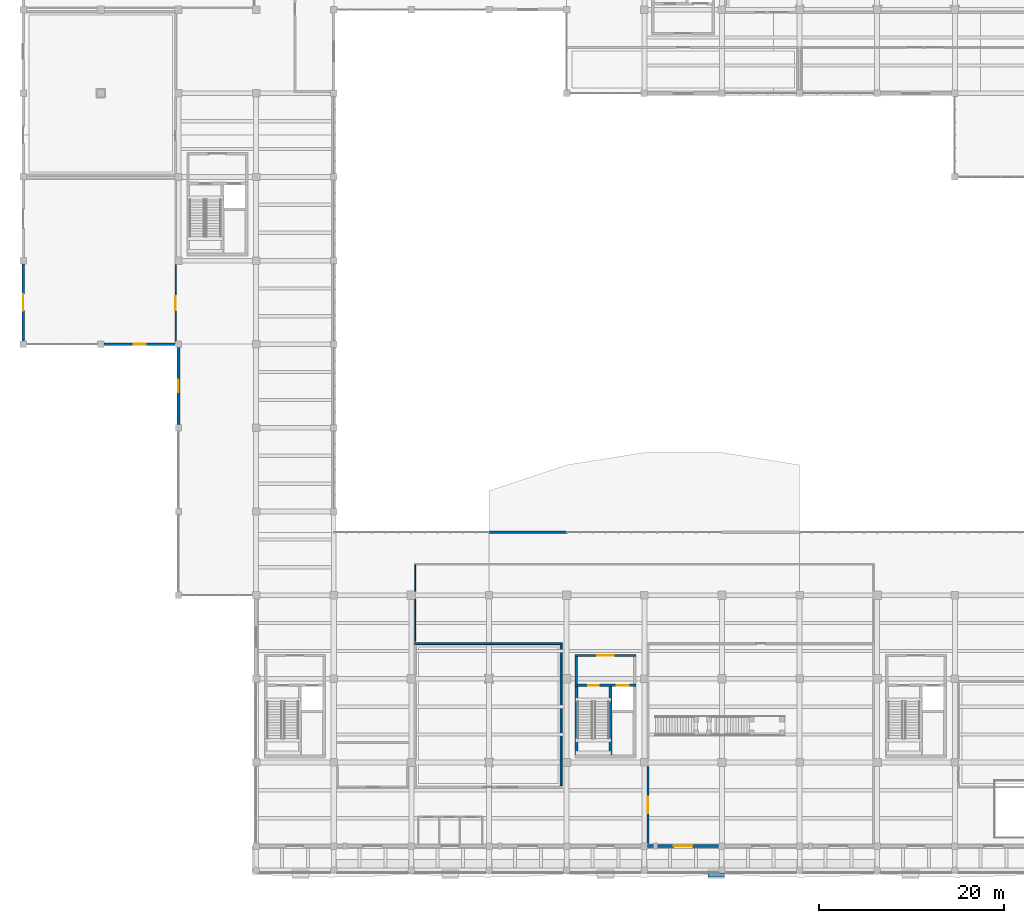
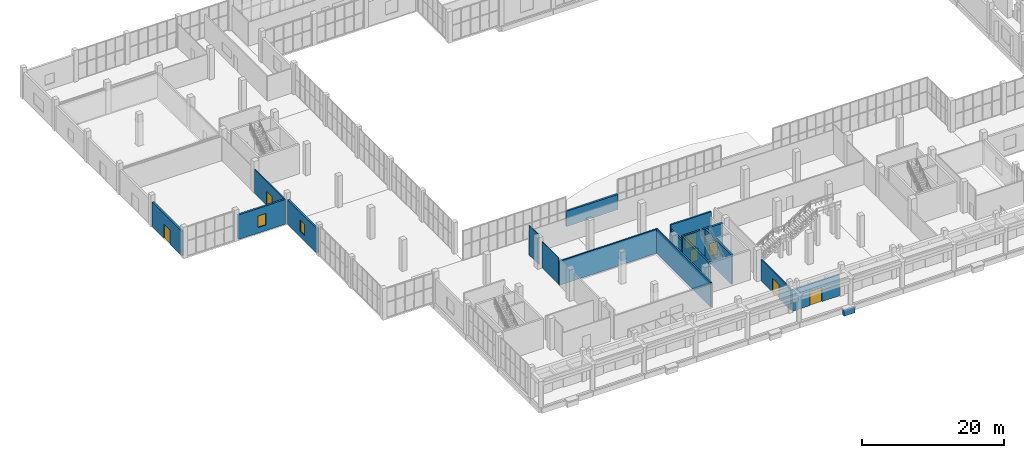
# One storey, part 77 of 91: 17 walls, 7 doors, 2 windows, 9 openings.
"""IFC4 building model written with IfcOpenShell, lengths in metres."""

import ifcopenshell
import ifcopenshell.guid

model = None  # the IFC model being written
_history = None  # IfcOwnerHistory: only IFC2X3 demands one
_inside = {}  # id of a spatial element -> (the spatial element, [elements in it])
_under = {}  # id of a project, library or spatial element -> (it, [spatial elements below it])
_declared = {}  # id of a project -> (the project, [libraries it declares])
_typed = {}  # id of a type object -> (the type object, [elements of that type])
_made_of = {}  # id of a material, layer set ... -> (it, [elements and type objects made of it])


def new_model(schema):
    """Start an empty IFC model of exactly this schema.

    Asked for "IFC4X3", IfcOpenShell would pick the latest addendum, in which some entities
    have other attributes; the version numbers below select the first issue.
    IFC2X3 requires an IfcOwnerHistory on every rooted entity: one is made here for all.
    """
    global model, _history
    if schema == "IFC4X3":
        model = ifcopenshell.file(schema_version=(4, 3, 0, 0))
    else:
        model = ifcopenshell.file(schema=schema)
    _inside.clear()
    _under.clear()
    _declared.clear()
    _typed.clear()
    _made_of.clear()
    _history = None
    if model.schema == "IFC2X3":
        org = make("IfcOrganization", Name="unknown")
        user = make(
            "IfcPersonAndOrganization",
            ThePerson=make("IfcPerson", FamilyName="unknown"),
            TheOrganization=org,
        )
        app = make(
            "IfcApplication",
            ApplicationDeveloper=org,
            Version="unknown",
            ApplicationFullName="unknown",
            ApplicationIdentifier="unknown",
        )
        _history = make(
            "IfcOwnerHistory",
            OwningUser=user,
            OwningApplication=app,
            ChangeAction="ADDED",
            CreationDate=0,
        )
    return model


def make(cls, **values):
    """One entity of the class cls with the attributes given. An attribute that is None is left unset."""
    return model.create_entity(
        cls, **{name: value for name, value in values.items() if value is not None}
    )


def rooted(cls, **values):
    """An entity with a GlobalId (a new one), such as an element, a storey or a relation."""
    return make(cls, GlobalId=ifcopenshell.guid.new(), OwnerHistory=_history, **values)


def si_unit(unit_type, name, prefix=None):
    """IfcSIUnit, for example si_unit("LENGTHUNIT", "METRE", prefix="MILLI")."""
    return make("IfcSIUnit", UnitType=unit_type, Prefix=prefix, Name=name)


def assignment(units):
    """IfcUnitAssignment: the units of a project."""
    return None if units is None else make("IfcUnitAssignment", Units=units)


def point(xyz):
    """IfcCartesianPoint."""
    return None if xyz is None else make("IfcCartesianPoint", Coordinates=xyz)


def direction(xyz):
    """IfcDirection."""
    return None if xyz is None else make("IfcDirection", DirectionRatios=xyz)


def frame(location, z_axis=None, x_axis=None):
    """IfcAxis2Placement3D, a coordinate frame: its origin and axes. An axis left out is left unset."""
    return make(
        "IfcAxis2Placement3D",
        Location=point(location),
        Axis=direction(z_axis),
        RefDirection=direction(x_axis),
    )


def frame_2d(location, x_axis=None):
    """IfcAxis2Placement2D, a coordinate frame in the plane: its origin and x axis."""
    return make(
        "IfcAxis2Placement2D", Location=point(location), RefDirection=direction(x_axis)
    )


def origin():
    """The frame at (0, 0, 0) with its axes left unset."""
    return frame((0.0, 0.0, 0.0))


def place(relative_to, where):
    """IfcLocalPlacement: puts the frame where relative to a parent placement (None: the world)."""
    return make(
        "IfcLocalPlacement", PlacementRelTo=relative_to, RelativePlacement=where
    )


def context(
    kind, dimensions, precision=None, world=None, true_north=None, identifier=None
):
    """IfcGeometricRepresentationContext, for example the 3D "Model" context."""
    return make(
        "IfcGeometricRepresentationContext",
        ContextIdentifier=identifier,
        ContextType=kind,
        CoordinateSpaceDimension=dimensions,
        Precision=precision,
        WorldCoordinateSystem=world,
        TrueNorth=true_north,
    )


def subcontext(parent, identifier, kind, view, scale=None):
    """IfcGeometricRepresentationSubContext, for example "Body" below "Model"."""
    return make(
        "IfcGeometricRepresentationSubContext",
        ContextIdentifier=identifier,
        ContextType=kind,
        ParentContext=parent,
        TargetScale=scale,
        TargetView=view,
    )


def project(units=None, contexts=None):
    """IfcProject with its units and contexts."""
    return rooted(
        "IfcProject",
        Name="project",
        RepresentationContexts=contexts,
        UnitsInContext=assignment(units),
    )


def spatial(cls, under=None, at=None, **own):
    """A site, building, storey or space (cls), placed at a placement, below another one or the project."""
    s = rooted(cls, ObjectPlacement=at, **own)
    if under is not None:
        _under.setdefault(under.id(), (under, []))[1].append(s)
    return s


def profile(cls, at=None, kind="AREA", **sizes):
    """A parametric profile (cls). Its sizes go by their IFC names, for example OverallWidth=200.0."""
    return make(cls, ProfileType=kind, Position=at, **sizes)


def rectangle(**sizes):
    """IfcRectangleProfileDef."""
    return profile("IfcRectangleProfileDef", **sizes)


def extrude(swept, where, along, depth):
    """IfcExtrudedAreaSolid: the profile swept, set in the frame where, extruded along a direction by depth."""
    return make(
        "IfcExtrudedAreaSolid",
        SweptArea=swept,
        Position=where,
        ExtrudedDirection=direction(along),
        Depth=depth,
    )


def shape(context_of_items, identifier, shape_type, items):
    """IfcShapeRepresentation: the items that make up one representation, for example the "Body"."""
    return make(
        "IfcShapeRepresentation",
        ContextOfItems=context_of_items,
        RepresentationIdentifier=identifier,
        RepresentationType=shape_type,
        Items=items,
    )


def material(Name=None, Category=None):
    """IfcMaterial."""
    return make("IfcMaterial", Name=Name, Category=Category)


def layer(
    of_material, thickness, ventilated=None, Name=None, Category=None, Priority=None
):
    """IfcMaterialLayer: one layer of a wall or slab, of a material (None: an air gap)."""
    return make(
        "IfcMaterialLayer",
        Material=of_material,
        LayerThickness=thickness,
        IsVentilated=ventilated,
        Name=Name,
        Category=Category,
        Priority=Priority,
    )


def layer_set(layers, Name=None):
    """IfcMaterialLayerSet."""
    return make("IfcMaterialLayerSet", MaterialLayers=layers, LayerSetName=Name)


def made_of(thing, what):
    """Note that an element or type object is made of a material, layer set ...; save() writes the relation."""
    if what is not None:
        _made_of.setdefault(what.id(), (what, []))[1].append(thing)
    return thing


def type_object(cls, material=None, **own):
    """A type object (cls), such as IfcWallType, which elements share."""
    return made_of(rooted(cls, **own), material)


def element(
    cls,
    number,
    at=None,
    inside=None,
    cuts=None,
    type_object=None,
    material=None,
    context=None,
    identifier="Body",
    shape_type=None,
    held_by="IfcProductDefinitionShape",
    body=None,
    shapes=None,
    **own,
):
    """One element of the class cls, such as IfcWall. Its Tag is "e" and its number.

    at: its placement. inside: the storey or other place that contains it. cuts: it is an
    opening in that element (IfcRelVoidsElement). A single representation is given by context,
    identifier, shape_type and body (its items); several are given by shapes. held_by: the class
    of the entity that holds the representations. save() writes the other relations.
    """
    e = rooted(cls, Tag="e%d" % number, ObjectPlacement=at, **own)
    if body is not None:
        shapes = [shape(context, identifier, shape_type, body)]
    if shapes is not None:
        e.Representation = make(held_by, Representations=shapes)
    if inside is not None:
        _inside.setdefault(inside.id(), (inside, []))[1].append(e)
    if cuts is not None:
        rooted(
            "IfcRelVoidsElement", RelatingBuildingElement=cuts, RelatedOpeningElement=e
        )
    if type_object is not None:
        _typed.setdefault(type_object.id(), (type_object, []))[1].append(e)
    return made_of(e, material)


def fill(opening, filler):
    """IfcRelFillsElement: the door or window that sits in an opening."""
    return rooted(
        "IfcRelFillsElement",
        RelatingOpeningElement=opening,
        RelatedBuildingElement=filler,
    )


def aggregate(whole, parts):
    """IfcRelAggregates: a whole, such as a stair, and the parts it consists of."""
    return rooted("IfcRelAggregates", RelatingObject=whole, RelatedObjects=parts)


def save(model, path):
    """Write the relations noted so far, then the file.

    IfcRelAggregates (storeys below a building ...), IfcRelContainedInSpatialStructure (elements
    in a storey), IfcRelDefinesByType, IfcRelAssociatesMaterial and IfcRelDeclares: one each for
    every whole, place, type object, material and project.
    """
    for whole, parts in _under.values():
        aggregate(whole, parts)
    for where, things in _inside.values():
        rooted(
            "IfcRelContainedInSpatialStructure",
            RelatedElements=things,
            RelatingStructure=where,
        )
    for kind, things in _typed.values():
        rooted("IfcRelDefinesByType", RelatedObjects=things, RelatingType=kind)
    for what, things in _made_of.values():
        rooted("IfcRelAssociatesMaterial", RelatedObjects=things, RelatingMaterial=what)
    for by, libraries in _declared.values():
        rooted("IfcRelDeclares", RelatingContext=by, RelatedDefinitions=libraries)
    model.write(path)


model = new_model("IFC4")

# Units and contexts
model_context = context("Model", 3, precision=1e-05, world=origin(), true_north=direction((0.0, 1.0)))
body_context = subcontext(model_context, "Body", "Model", "MODEL_VIEW")
ifc_project = project(units=[si_unit("LENGTHUNIT", "METRE"), si_unit("AREAUNIT", "SQUARE_METRE"), si_unit("VOLUMEUNIT", "CUBIC_METRE"), si_unit("PLANEANGLEUNIT", "RADIAN"), si_unit("MASSUNIT", "GRAM", prefix="KILO")], contexts=[model_context])

# Site, building, storey
site_placement = place(None, origin())
site = spatial("IfcSite", under=ifc_project, at=site_placement, CompositionType="ELEMENT")
building_placement = place(site_placement, origin())
building = spatial("IfcBuilding", under=site, at=building_placement, Name="Khurvash Pelagic Aquarium", CompositionType="ELEMENT")
storey_placement = place(building_placement, origin())
storey = spatial("IfcBuildingStorey", under=building, at=storey_placement, Name="L00", CompositionType="ELEMENT", Elevation=0.0)

# Wall, opening, door
ifc_material_1 = material(Name="Precast concrete C40/50", Category="concrete")
ifc_layer_1 = layer(ifc_material_1, 0.300048828125)
ifc_layer_set_1 = layer_set([ifc_layer_1], Name="Precast concrete C40/50")
wall_type_1 = type_object("IfcWallType", Name="EW-300", PredefinedType="STANDARD", material=ifc_layer_set_1)
wall_1_placement = place(storey_placement, frame((67.554931640625, 2.60009765625, 0.0), z_axis=(0.0, 0.0, 1.0), x_axis=(1.0, 0.0, 0.0)))
wall_1 = element("IfcWall", 1, at=wall_1_placement, inside=storey, type_object=wall_type_1, Name="L00 Exterior Architectural Facade Wall EW-300 0009", PredefinedType="STANDARD", context=body_context, shape_type="SweptSolid", body=[
    extrude(rectangle(XDim=7.690185546875, YDim=0.300048828125, at=frame_2d((3.84521484375, 0.0))), origin(), (0.0, 0.0, 1.0), 3.64990234375),
])
opening_1_placement = place(wall_1_placement, frame((2.844970703125, 0.0, 0.0)))
opening_1 = element("IfcOpeningElement", 2, at=opening_1_placement, cuts=wall_1, Name="Opening ED-02", PredefinedType="OPENING", context=body_context, shape_type="SweptSolid", body=[
    extrude(rectangle(XDim=2.0, YDim=2.39990234375, at=frame_2d((1.0, 1.199951171875))), frame((0.0, 0.16015625, 0.0), z_axis=(0.0, -1.0, 0.0), x_axis=(1.0, 0.0, 0.0)), (0.0, 0.0, 1.0), 0.320068359375),
])
ifc_material_2 = material(Name="Thermally broken glazed aluminium", Category="aluminium")
door_type_1 = type_object("IfcDoorType", Name="ED-02", OperationType="DOUBLE_DOOR_SINGLE_SWING", PredefinedType="DOOR", material=ifc_material_2)
door_1_placement = place(opening_1_placement, frame((2.0, 0.0, 0.0), z_axis=(0.0, 0.0, 1.0), x_axis=(-1.0, 0.0, 0.0)))
door_1 = element("IfcDoor", 3, at=door_1_placement, inside=storey, type_object=door_type_1, Name="DR-0049", OperationType="DOUBLE_DOOR_SINGLE_SWING", OverallHeight=2.39990234375, OverallWidth=2.0, PredefinedType="DOOR", context=body_context, shape_type="SweptSolid", body=[
    extrude(rectangle(XDim=2.0, YDim=2.39990234375, at=frame_2d((1.0, 1.199951171875))), frame((0.0, 0.02490234375, 0.0), z_axis=(0.0, -1.0, 0.0), x_axis=(1.0, 0.0, 0.0)), (0.0, 0.0, 1.0), 0.050048828125),
])
fill(opening_1, door_1)

wall_2_placement = place(storey_placement, frame((0.0, 65.594970703125, 0.0), z_axis=(0.0, 0.0, 1.0), x_axis=(0.0, -1.0, 0.0)))
wall_2 = element("IfcWall", 4, at=wall_2_placement, inside=storey, type_object=wall_type_1, Name="L00 Exterior Architectural Facade Wall EW-300 0029", PredefinedType="STANDARD", context=body_context, shape_type="SweptSolid", body=[
    extrude(rectangle(XDim=8.340087890625, YDim=0.300048828125, at=frame_2d((4.169921875, 0.0))), origin(), (0.0, 0.0, 1.0), 4.239990234375),
])
opening_2_placement = place(wall_2_placement, frame((3.27001953125, 0.0, 0.0)))
opening_2 = element("IfcOpeningElement", 5, at=opening_2_placement, cuts=wall_2, Name="Opening ED-01", PredefinedType="OPENING", context=body_context, shape_type="SweptSolid", body=[
    extrude(rectangle(XDim=1.800048828125, YDim=2.39990234375, at=frame_2d((0.89990234375, 1.199951171875))), frame((0.0, 0.16015625, 0.0), z_axis=(0.0, -1.0, 0.0), x_axis=(1.0, 0.0, 0.0)), (0.0, 0.0, 1.0), 0.320068359375),
])
door_type_2 = type_object("IfcDoorType", Name="ED-01", OperationType="DOUBLE_DOOR_SINGLE_SWING", PredefinedType="DOOR", material=ifc_material_2)
door_2_placement = place(opening_2_placement, frame((1.800048828125, 0.0, 0.0), z_axis=(0.0, 0.0, 1.0), x_axis=(-1.0, 0.0, 0.0)))
door_2 = element("IfcDoor", 6, at=door_2_placement, inside=storey, type_object=door_type_2, Name="DR-0059", OperationType="DOUBLE_DOOR_SINGLE_SWING", OverallHeight=2.39990234375, OverallWidth=1.800048828125, PredefinedType="DOOR", context=body_context, shape_type="SweptSolid", body=[
    extrude(rectangle(XDim=1.800048828125, YDim=2.39990234375, at=frame_2d((0.89990234375, 1.199951171875))), frame((0.0, 0.02490234375, 0.0), z_axis=(0.0, -1.0, 0.0), x_axis=(1.0, 0.0, 0.0)), (0.0, 0.0, 1.0), 0.050048828125),
])
fill(opening_2, door_2)

# Wall, opening, window
wall_3_placement = place(storey_placement, frame((8.7548828125, 56.89990234375, 0.0), z_axis=(0.0, 0.0, 1.0), x_axis=(1.0, 0.0, 0.0)))
wall_3 = element("IfcWall", 7, at=wall_3_placement, inside=storey, type_object=wall_type_1, Name="L00 Exterior Architectural Facade Wall EW-300 0030", PredefinedType="STANDARD", context=body_context, shape_type="SweptSolid", body=[
    extrude(rectangle(XDim=7.690185546875, YDim=0.300048828125, at=frame_2d((3.84521484375, 0.0))), origin(), (0.0, 0.0, 1.0), 4.22998046875),
])
opening_3_placement = place(wall_3_placement, frame((3.18505859375, 0.0, 0.949951171875)))
opening_3 = element("IfcOpeningElement", 8, at=opening_3_placement, cuts=wall_3, Name="Opening WN-32", PredefinedType="OPENING", context=body_context, shape_type="SweptSolid", body=[
    extrude(rectangle(XDim=1.320068359375, YDim=2.0, at=frame_2d((0.66015625, 1.0))), frame((0.0, 0.16015625, 0.0), z_axis=(0.0, -1.0, 0.0), x_axis=(1.0, 0.0, 0.0)), (0.0, 0.0, 1.0), 0.320068359375),
])
ifc_material_3 = material(Name="Thermally broken aluminium and low-E glass", Category="aluminium")
window_type = type_object("IfcWindowType", Name="WN-32", PartitioningType="SINGLE_PANEL", PredefinedType="WINDOW", material=ifc_material_3)
window_1_placement = place(opening_3_placement, origin())
window_1 = element("IfcWindow", 9, at=window_1_placement, inside=storey, type_object=window_type, Name="L00 Facade Window WN-32 0012", OverallHeight=2.0, OverallWidth=1.320068359375, PartitioningType="SINGLE_PANEL", PredefinedType="WINDOW", context=body_context, shape_type="SweptSolid", body=[
    extrude(rectangle(XDim=1.320068359375, YDim=2.0, at=frame_2d((0.66015625, 1.0))), frame((0.0, 0.030029296875, 0.0), z_axis=(0.0, -1.0, 0.0), x_axis=(1.0, 0.0, 0.0)), (0.0, 0.0, 1.0), 0.06005859375),
])
fill(opening_3, window_1)

wall_4_placement = place(storey_placement, frame((16.800048828125, 56.544921875, 0.0), z_axis=(0.0, 0.0, 1.0), x_axis=(0.0, -1.0, 0.0)))
wall_4 = element("IfcWall", 10, at=wall_4_placement, inside=storey, type_object=wall_type_1, Name="L00 Exterior Architectural Facade Wall EW-300 0031", PredefinedType="STANDARD", context=body_context, shape_type="SweptSolid", body=[
    extrude(rectangle(XDim=8.33984375, YDim=0.300048828125, at=frame_2d((4.169921875, 0.0))), origin(), (0.0, 0.0, 1.0), 4.239990234375),
])
opening_4_placement = place(wall_4_placement, frame((3.510009765625, 0.0, 0.949951171875)))
opening_4 = element("IfcOpeningElement", 11, at=opening_4_placement, cuts=wall_4, Name="Opening WN-32", PredefinedType="OPENING", context=body_context, shape_type="SweptSolid", body=[
    extrude(rectangle(XDim=1.320068359375, YDim=2.0, at=frame_2d((0.66015625, 1.0))), frame((0.0, 0.16015625, 0.0), z_axis=(0.0, -1.0, 0.0), x_axis=(1.0, 0.0, 0.0)), (0.0, 0.0, 1.0), 0.320068359375),
])
window_2_placement = place(opening_4_placement, origin())
window_2 = element("IfcWindow", 12, at=window_2_placement, inside=storey, type_object=window_type, Name="L00 Facade Window WN-32 0013", OverallHeight=2.0, OverallWidth=1.320068359375, PartitioningType="SINGLE_PANEL", PredefinedType="WINDOW", context=body_context, shape_type="SweptSolid", body=[
    extrude(rectangle(XDim=1.320068359375, YDim=2.0, at=frame_2d((0.66015625, 1.0))), frame((0.0, 0.030029296875, 0.0), z_axis=(0.0, -1.0, 0.0), x_axis=(1.0, 0.0, 0.0)), (0.0, 0.0, 1.0), 0.06005859375),
])
fill(opening_4, window_2)

# Walls
wall_5_placement = place(storey_placement, frame((58.800048828125, 36.550048828125, 0.0), z_axis=(0.0, 0.0, 1.0), x_axis=(-1.0, 0.0, 0.0)))
element("IfcWall", 13, at=wall_5_placement, inside=storey, type_object=wall_type_1, Name="L00 Exterior Architectural Facade Wall EW-300 0037", PredefinedType="STANDARD", context=body_context, shape_type="SweptSolid", body=[
    extrude(rectangle(XDim=8.400146484375, YDim=0.300048828125, at=frame_2d((4.2001953125, 0.0))), origin(), (0.0, 0.0, 1.0), 2.616943359375),
])
ifc_material_4 = material(Name="Ceramic-tiled wet-room partition", Category="masonry")
ifc_layer_2 = layer(ifc_material_4, 0.110107421875)
ifc_layer_set_2 = layer_set([ifc_layer_2], Name="Ceramic-tiled wet-room partition")
wall_type_2 = type_object("IfcWallType", Name="PW-110", PredefinedType="PARTITIONING", material=ifc_layer_set_2)
wall_6_placement = place(storey_placement, frame((42.39990234375, 24.7548828125, 0.0), z_axis=(0.0, 0.0, 1.0), x_axis=(0.0, 1.0, 0.0)))
element("IfcWall", 14, at=wall_6_placement, inside=storey, type_object=wall_type_2, Name="L00 Sehan Courtyard Public Cafeteria Partition Wall PW-110", PredefinedType="PARTITIONING", context=body_context, shape_type="SweptSolid", body=[
    extrude(rectangle(XDim=4.55517578125, YDim=0.110107421875, at=frame_2d((2.277587890625, 0.0))), origin(), (0.0, 0.0, 1.0), 4.5400390625),
])
wall_7_placement = place(storey_placement, frame((42.39990234375, 30.18994140625, 0.0), z_axis=(0.0, 0.0, 1.0), x_axis=(0.0, 1.0, 0.0)))
element("IfcWall", 15, at=wall_7_placement, inside=storey, type_object=wall_type_2, Name="L00 Sehan Courtyard Public Cafeteria Partition Wall PW-110", PredefinedType="PARTITIONING", context=body_context, shape_type="SweptSolid", body=[
    extrude(rectangle(XDim=2.85498046875, YDim=0.110107421875, at=frame_2d((1.427490234375, 0.0))), origin(), (0.0, 0.0, 1.0), 5.090087890625),
])

# Wall, opening, door
ifc_material_5 = material(Name="Moisture-resistant gypsum and steel stud", Category="steel")
ifc_layer_3 = layer(ifc_material_5, 0.139892578125)
ifc_layer_set_3 = layer_set([ifc_layer_3], Name="Moisture-resistant gypsum and steel stud")
wall_type_3 = type_object("IfcWallType", Name="PW-140", PredefinedType="PARTITIONING", material=ifc_layer_set_3)
wall_8_placement = place(storey_placement, frame((16.5, 57.169921875, 0.0), z_axis=(0.0, 0.0, 1.0), x_axis=(0.0, 1.0, 0.0)))
wall_8 = element("IfcWall", 16, at=wall_8_placement, inside=storey, type_object=wall_type_3, Name="L00 School Group Orientation Foyer Partition Wall PW-140", PredefinedType="PARTITIONING", context=body_context, shape_type="SweptSolid", body=[
    extrude(rectangle(XDim=8.340087890625, YDim=0.139892578125, at=frame_2d((4.169921875, 0.0))), origin(), (0.0, 0.0, 1.0), 4.139892578125),
])
opening_5_placement = place(wall_8_placement, frame((3.409912109375, 0.0, 0.0)))
opening_5 = element("IfcOpeningElement", 17, at=opening_5_placement, cuts=wall_8, Name="Opening ID-15", PredefinedType="OPENING", context=body_context, shape_type="SweptSolid", body=[
    extrude(rectangle(XDim=1.52001953125, YDim=2.39990234375, at=frame_2d((0.760009765625, 1.199951171875))), frame((0.0, 0.080078125, 0.0), z_axis=(0.0, -1.0, 0.0), x_axis=(1.0, 0.0, 0.0)), (0.0, 0.0, 1.0), 0.159912109375),
])
ifc_material_6 = material(Name="Glazed aluminium lobby double door", Category="aluminium")
door_type_3 = type_object("IfcDoorType", Name="ID-15", OperationType="DOUBLE_DOOR_SINGLE_SWING", PredefinedType="DOOR", material=ifc_material_6)
door_3_placement = place(opening_5_placement, origin())
door_3 = element("IfcDoor", 18, at=door_3_placement, inside=storey, type_object=door_type_3, Name="DR-0075", OperationType="DOUBLE_DOOR_SINGLE_SWING", OverallHeight=2.39990234375, OverallWidth=1.52001953125, PredefinedType="DOOR", context=body_context, shape_type="SweptSolid", body=[
    extrude(rectangle(XDim=1.52001953125, YDim=2.39990234375, at=frame_2d((0.760009765625, 1.199951171875))), frame((0.0, 0.02490234375, 0.0), z_axis=(0.0, -1.0, 0.0), x_axis=(1.0, 0.0, 0.0)), (0.0, 0.0, 1.0), 0.050048828125),
])
fill(opening_5, door_3)

ifc_material_7 = material(Name="AAC blockwork", Category="masonry")
ifc_layer_4 = layer(ifc_material_7, 0.199951171875)
ifc_layer_set_4 = layer_set([ifc_layer_4], Name="AAC blockwork")
wall_type_4 = type_object("IfcWallType", Name="PW-200", PredefinedType="PARTITIONING", material=ifc_layer_set_4)
wall_9_placement = place(storey_placement, frame((67.60009765625, 2.89990234375, 0.0), z_axis=(0.0, 0.0, 1.0), x_axis=(0.0, 1.0, 0.0)))
wall_9 = element("IfcWall", 19, at=wall_9_placement, inside=storey, type_object=wall_type_4, Name="L00 Grand Sehan Entrance Foyer Partition Wall PW-200", PredefinedType="PARTITIONING", context=body_context, shape_type="SweptSolid", body=[
    extrude(rectangle(XDim=8.31005859375, YDim=0.199951171875, at=frame_2d((4.155029296875, 0.0))), origin(), (0.0, 0.0, 1.0), 3.64990234375),
])
opening_6_placement = place(wall_9_placement, frame((3.264892578125, 0.0, 0.0)))
opening_6 = element("IfcOpeningElement", 20, at=opening_6_placement, cuts=wall_9, Name="Opening ID-34", PredefinedType="OPENING", context=body_context, shape_type="SweptSolid", body=[
    extrude(rectangle(XDim=1.780029296875, YDim=2.3798828125, at=frame_2d((0.89013671875, 1.18994140625))), frame((0.0, 0.10986328125, 0.0), z_axis=(0.0, -1.0, 0.0), x_axis=(1.0, 0.0, 0.0)), (0.0, 0.0, 1.0), 0.219970703125),
])
ifc_material_8 = material(Name="Freshwater hall double door", Category="wood")
door_type_4 = type_object("IfcDoorType", Name="ID-34", OperationType="DOUBLE_DOOR_SINGLE_SWING", PredefinedType="DOOR", material=ifc_material_8)
door_4_placement = place(opening_6_placement, frame((1.780029296875, 0.0, 0.0), z_axis=(0.0, 0.0, 1.0), x_axis=(-1.0, 0.0, 0.0)))
door_4 = element("IfcDoor", 21, at=door_4_placement, inside=storey, type_object=door_type_4, Name="DR-0067", OperationType="DOUBLE_DOOR_SINGLE_SWING", OverallHeight=2.3798828125, OverallWidth=1.780029296875, PredefinedType="DOOR", context=body_context, shape_type="SweptSolid", body=[
    extrude(rectangle(XDim=1.780029296875, YDim=2.3798828125, at=frame_2d((0.89013671875, 1.18994140625))), frame((0.0, 0.02490234375, 0.0), z_axis=(0.0, -1.0, 0.0), x_axis=(1.0, 0.0, 0.0)), (0.0, 0.0, 1.0), 0.050048828125),
])
fill(opening_6, door_4)

# Walls
ifc_layer_5 = layer(ifc_material_7, 0.215087890625)
ifc_layer_set_5 = layer_set([ifc_layer_5], Name="AAC blockwork")
wall_type_5 = type_object("IfcWallType", Name="PW-215", PredefinedType="PARTITIONING", material=ifc_layer_set_5)
wall_10_placement = place(storey_placement, frame((42.2919921875, 24.5, 0.0), z_axis=(0.0, 0.0, 1.0), x_axis=(1.0, 0.0, 0.0)))
element("IfcWall", 22, at=wall_10_placement, inside=storey, type_object=wall_type_5, Name="L00 Aquarium Conservation Shop Partition Wall PW-215", PredefinedType="PARTITIONING", context=body_context, shape_type="SweptSolid", body=[
    extrude(rectangle(XDim=16.01611328125, YDim=0.215087890625, at=frame_2d((8.008056640625, 0.0))), origin(), (0.0, 0.0, 1.0), 4.1298828125),
])
wall_11_placement = place(storey_placement, frame((58.199951171875, 9.10693359375, 0.0), z_axis=(0.0, 0.0, 1.0), x_axis=(0.0, 1.0, 0.0)))
element("IfcWall", 23, at=wall_11_placement, inside=storey, type_object=wall_type_5, Name="L00 Aquarium Conservation Shop Partition Wall PW-215", PredefinedType="PARTITIONING", context=body_context, shape_type="SweptSolid", body=[
    extrude(rectangle(XDim=15.28515625, YDim=0.215087890625, at=frame_2d((7.642578125, 0.0))), origin(), (0.0, 0.0, 1.0), 4.22998046875),
])

# Wall, opening, door
ifc_layer_6 = layer(ifc_material_7, 0.25)
ifc_layer_set_6 = layer_set([ifc_layer_6], Name="AAC blockwork")
wall_type_6 = type_object("IfcWallType", Name="PW-250", PredefinedType="PARTITIONING", material=ifc_layer_set_6)
wall_12_placement = place(storey_placement, frame((59.699951171875, 23.22509765625, 0.0), z_axis=(0.0, 0.0, 1.0), x_axis=(1.0, 0.0, 0.0)))
wall_12 = element("IfcWall", 24, at=wall_12_placement, inside=storey, type_object=wall_type_6, Name="L00 Core C2 Lobby Front Fire Wall PW-250", PredefinedType="PARTITIONING", context=body_context, shape_type="SweptSolid", body=[
    extrude(rectangle(XDim=6.60009765625, YDim=0.25, at=frame_2d((3.300048828125, 0.0))), origin(), (0.0, 0.0, 1.0), 5.090087890625),
])
opening_7_placement = place(wall_12_placement, frame((2.39990234375, 0.0, 0.0)))
opening_7 = element("IfcOpeningElement", 25, at=opening_7_placement, cuts=wall_12, Name="Opening FD-02", PredefinedType="OPENING", context=body_context, shape_type="SweptSolid", body=[
    extrude(rectangle(XDim=1.800048828125, YDim=2.25, at=frame_2d((0.89990234375, 1.125))), frame((0.0, 0.135009765625, 0.0), z_axis=(0.0, -1.0, 0.0), x_axis=(1.0, 0.0, 0.0)), (0.0, 0.0, 1.0), 0.27001953125),
])
ifc_material_9 = material(Name="Galvanised steel double fire door", Category="steel")
door_type_5 = type_object("IfcDoorType", Name="FD-02", OperationType="DOUBLE_DOOR_SINGLE_SWING", PredefinedType="DOOR", material=ifc_material_9)
door_5_placement = place(opening_7_placement, origin())
door_5 = element("IfcDoor", 26, at=door_5_placement, inside=storey, type_object=door_type_5, Name="DR-0085", OperationType="DOUBLE_DOOR_SINGLE_SWING", OverallHeight=2.25, OverallWidth=1.800048828125, PredefinedType="DOOR", context=body_context, shape_type="SweptSolid", body=[
    extrude(rectangle(XDim=1.800048828125, YDim=2.25, at=frame_2d((0.89990234375, 1.125))), frame((0.0, 0.02490234375, 0.0), z_axis=(0.0, -1.0, 0.0), x_axis=(1.0, 0.0, 0.0)), (0.0, 0.0, 1.0), 0.050048828125),
])
fill(opening_7, door_5)

# Wall
wall_13_placement = place(storey_placement, frame((59.824951171875, 20.14990234375, 0.0), z_axis=(0.0, 0.0, 1.0), x_axis=(0.0, 1.0, 0.0)))
element("IfcWall", 27, at=wall_13_placement, inside=storey, type_object=wall_type_6, Name="L00 Core C2 Lobby West Fire Wall PW-250", PredefinedType="PARTITIONING", context=body_context, shape_type="SweptSolid", body=[
    extrude(rectangle(XDim=2.9501953125, YDim=0.25, at=frame_2d((1.47509765625, 0.0))), origin(), (0.0, 0.0, 1.0), 4.22998046875),
])

# Wall, openings, doors
ifc_material_10 = material(Name="Concrete C40/50", Category="concrete")
ifc_layer_7 = layer(ifc_material_10, 0.300048828125)
ifc_layer_set_7 = layer_set([ifc_layer_7], Name="Concrete C40/50")
wall_type_7 = type_object("IfcWallType", Name="SW-300", PredefinedType="SHEAR", material=ifc_layer_set_7)
wall_14_placement = place(storey_placement, frame((59.699951171875, 20.0, 0.0), z_axis=(0.0, 0.0, 1.0), x_axis=(1.0, 0.0, 0.0)))
wall_14 = element("IfcWall", 28, at=wall_14_placement, inside=storey, type_object=wall_type_7, Name="L00 Core C2 North Shear Wall SW-300", PredefinedType="SHEAR", context=body_context, shape_type="SweptSolid", body=[
    extrude(rectangle(XDim=6.60009765625, YDim=0.300048828125, at=frame_2d((3.300048828125, 0.0))), origin(), (0.0, 0.0, 1.0), 5.090087890625),
])
opening_8_placement = place(wall_14_placement, frame((1.425048828125, 0.0, 0.0)))
opening_8 = element("IfcOpeningElement", 29, at=opening_8_placement, cuts=wall_14, Name="Opening FD-01", PredefinedType="OPENING", context=body_context, shape_type="SweptSolid", body=[
    extrude(rectangle(XDim=1.14990234375, YDim=2.199951171875, at=frame_2d((0.574951171875, 1.10009765625))), frame((0.0, 0.16015625, 0.0), z_axis=(0.0, -1.0, 0.0), x_axis=(1.0, 0.0, 0.0)), (0.0, 0.0, 1.0), 0.320068359375),
])
opening_9_placement = place(wall_14_placement, frame((4.5, 0.0, 0.0)))
opening_9 = element("IfcOpeningElement", 30, at=opening_9_placement, cuts=wall_14, Name="Opening LD-02", PredefinedType="OPENING", context=body_context, shape_type="SweptSolid", body=[
    extrude(rectangle(XDim=1.300048828125, YDim=2.199951171875, at=frame_2d((0.64990234375, 1.10009765625))), frame((0.0, 0.16015625, 0.0), z_axis=(0.0, -1.0, 0.0), x_axis=(1.0, 0.0, 0.0)), (0.0, 0.0, 1.0), 0.320068359375),
])
ifc_material_11 = material(Name="Galvanised steel fire door", Category="steel")
door_type_6 = type_object("IfcDoorType", Name="FD-01", OperationType="NOTDEFINED", PredefinedType="DOOR", material=ifc_material_11)
door_6_placement = place(opening_8_placement, origin())
door_6 = element("IfcDoor", 31, at=door_6_placement, inside=storey, type_object=door_type_6, Name="DR-0033", OperationType="SINGLE_SWING_RIGHT", OverallHeight=2.199951171875, OverallWidth=1.14990234375, PredefinedType="DOOR", context=body_context, shape_type="SweptSolid", body=[
    extrude(rectangle(XDim=1.14990234375, YDim=2.199951171875, at=frame_2d((0.574951171875, 1.10009765625))), frame((0.0, 0.02490234375, 0.0), z_axis=(0.0, -1.0, 0.0), x_axis=(1.0, 0.0, 0.0)), (0.0, 0.0, 1.0), 0.050048828125),
])
fill(opening_8, door_6)
ifc_material_12 = material(Name="Brushed stainless steel 316 lift landing door", Category="steel")
door_type_7 = type_object("IfcDoorType", Name="LD-02", OperationType="DOUBLE_DOOR_SLIDING", PredefinedType="DOOR", material=ifc_material_12)
door_7_placement = place(opening_9_placement, origin())
door_7 = element("IfcDoor", 32, at=door_7_placement, inside=storey, type_object=door_type_7, Name="DR-0039", OperationType="DOUBLE_DOOR_SLIDING", OverallHeight=2.199951171875, OverallWidth=1.300048828125, PredefinedType="DOOR", context=body_context, shape_type="SweptSolid", body=[
    extrude(rectangle(XDim=1.300048828125, YDim=2.199951171875, at=frame_2d((0.64990234375, 1.10009765625))), frame((0.0, 0.02490234375, 0.0), z_axis=(0.0, -1.0, 0.0), x_axis=(1.0, 0.0, 0.0)), (0.0, 0.0, 1.0), 0.050048828125),
])
fill(opening_9, door_7)

# Walls
for number, where, z_axis, x_axis, name in (
    (33, (59.85009765625, 12.449951171875, 0.0), (0.0, 0.0, 1.0), (0.0, 1.0, 0.0), "L00 Core C2 West Shear Wall SW-300"),
    (34, (63.550048828125, 12.449951171875, 0.0), (0.0, 0.0, 1.0), (0.0, 1.0, 0.0), "L00 Core C2 Divider Shear Wall SW-300"),
):
    element("IfcWall", number, at=place(storey_placement, frame(where, z_axis=z_axis, x_axis=x_axis)), inside=storey, type_object=wall_type_7, Name=name, PredefinedType="SHEAR", context=body_context, shape_type="SweptSolid", body=[
        extrude(rectangle(XDim=7.400146484375, YDim=0.300048828125, at=frame_2d((3.7001953125, 0.0))), origin(), (0.0, 0.0, 1.0), 5.090087890625),
    ])
ifc_material_13 = material(Name="Water-retaining concrete C40/50", Category="concrete")
ifc_layer_8 = layer(ifc_material_13, 0.39990234375)
ifc_layer_set_8 = layer_set([ifc_layer_8], Name="Water-retaining concrete C40/50")
wall_type_8 = type_object("IfcWallType", Name="TW-400", PredefinedType="SOLIDWALL", material=ifc_layer_set_8)
wall_15_placement = place(storey_placement, frame((74.10009765625, -0.550048828125, -1.199951171875), z_axis=(0.0, 0.0, 1.0), x_axis=(1.0, 0.0, 0.0)))
element("IfcWall", 35, at=wall_15_placement, inside=storey, type_object=wall_type_8, Name="L00 Grand Foyer Boulevard Accessible Ramp Sleeper Plinth Wall TW-400", PredefinedType="SOLIDWALL", context=body_context, shape_type="SweptSolid", body=[
    extrude(rectangle(XDim=1.7998046875, YDim=0.39990234375, at=frame_2d((0.89990234375, 0.0))), origin(), (0.0, 0.0, 1.0), 0.925048828125),
])

save(model, "model.ifc")
